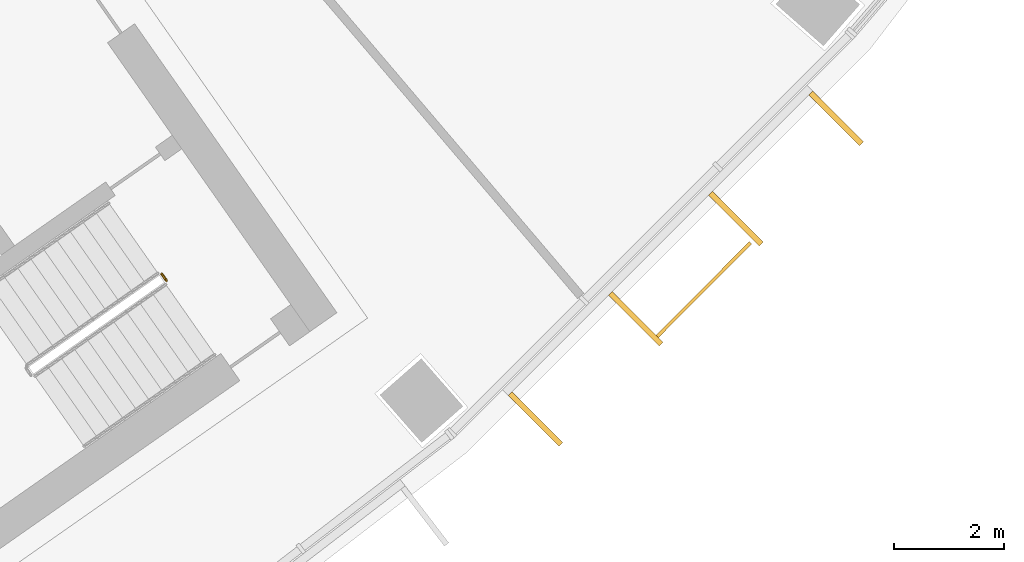
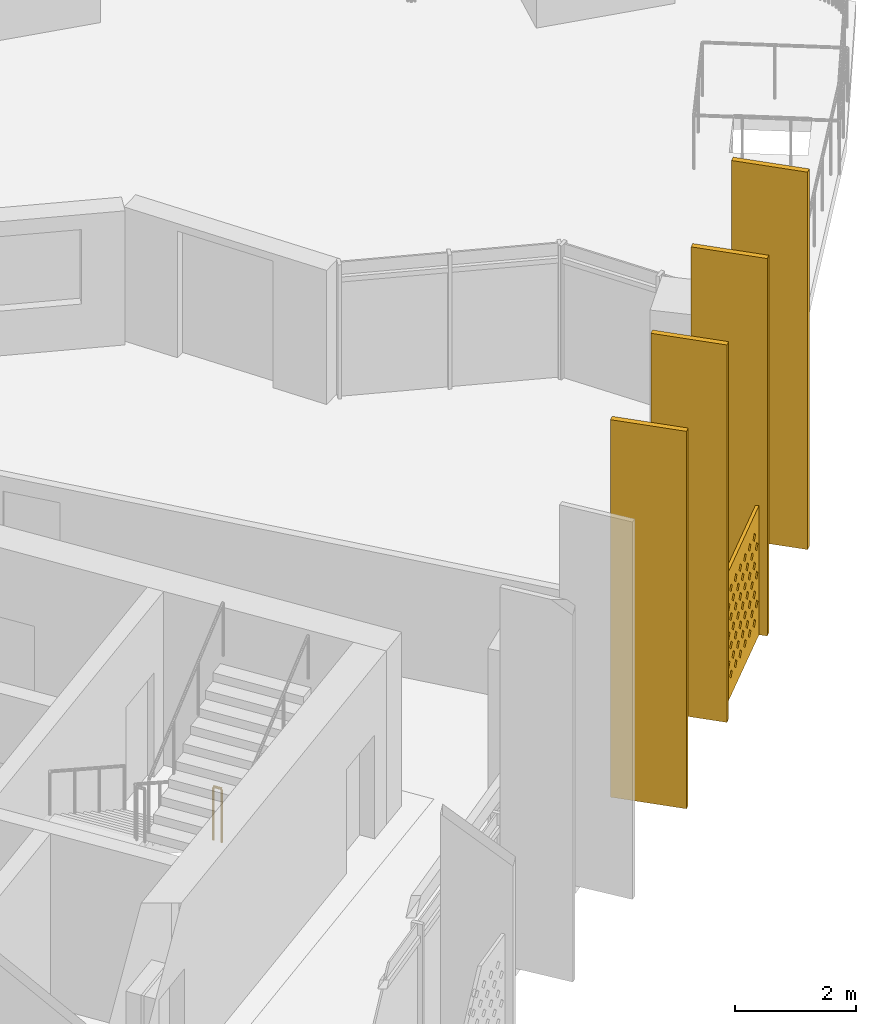
# One storey, part 28 of 30: 5 shading devices, 1 railing.
"""IFC4 building model written with IfcOpenShell, lengths in metres."""

from ifc_helpers import new_model, si_unit, direction, frame, origin, origin_2d, place, context, subcontext, project, spatial, polyline, rectangle, circle, outline, extrude, material, material_profile, profile_set, type_object, element, save


model = new_model("IFC4")

# Units and contexts
model_context = context("Model", 3, precision=1e-05, world=origin(), true_north=direction((0.0, 1.0)))
body_context = subcontext(model_context, "Body", "Model", "MODEL_VIEW")
ifc_project = project(units=[si_unit("LENGTHUNIT", "METRE"), si_unit("AREAUNIT", "SQUARE_METRE"), si_unit("VOLUMEUNIT", "CUBIC_METRE"), si_unit("PLANEANGLEUNIT", "RADIAN"), si_unit("MASSUNIT", "GRAM", prefix="KILO")], contexts=[model_context])

# Site, building, storey
site_placement = place(None, origin())
site = spatial("IfcSite", under=ifc_project, at=site_placement, CompositionType="ELEMENT")
building_placement = place(site_placement, origin())
building = spatial("IfcBuilding", under=site, at=building_placement, Name="Qamariyya Broadcast Tower", CompositionType="ELEMENT")
storey_placement = place(building_placement, frame((0.0, 0.0, 203.699951171875)))
storey = spatial("IfcBuildingStorey", under=building, at=storey_placement, Name="L48", CompositionType="ELEMENT", Elevation=203.699951171875)

# Shading device
ifc_material_1 = material(Name="Perforated glazed terracotta", Category="masonry")
ifc_material_profile_1 = material_profile(ifc_material_1, outline(polyline([(-1.199951171875, -1.300048828125), (1.199951171875, -1.300048828125), (1.199951171875, 1.300048828125), (-1.199951171875, 1.300048828125), (-1.199951171875, -1.300048828125)]), holes=[polyline([(-0.81494140625, -0.86669921875), (-0.89990234375, -0.78173828125), (-0.985107421875, -0.86669921875), (-0.89990234375, -0.95166015625), (-0.81494140625, -0.86669921875)]), polyline([(-0.514892578125, -0.86669921875), (-0.60009765625, -0.78173828125), (-0.68505859375, -0.86669921875), (-0.60009765625, -0.95166015625), (-0.514892578125, -0.86669921875)]), polyline([(-0.215087890625, -0.86669921875), (-0.300048828125, -0.78173828125), (-0.385009765625, -0.86669921875), (-0.300048828125, -0.95166015625), (-0.215087890625, -0.86669921875)]), polyline([(0.0849609375, -0.86669921875), (0.0, -0.78173828125), (-0.0849609375, -0.86669921875), (0.0, -0.95166015625), (0.0849609375, -0.86669921875)]), polyline([(0.385009765625, -0.86669921875), (0.300048828125, -0.78173828125), (0.215087890625, -0.86669921875), (0.300048828125, -0.95166015625), (0.385009765625, -0.86669921875)]), polyline([(0.68505859375, -0.86669921875), (0.60009765625, -0.78173828125), (0.514892578125, -0.86669921875), (0.60009765625, -0.95166015625), (0.68505859375, -0.86669921875)]), polyline([(0.985107421875, -0.86669921875), (0.89990234375, -0.78173828125), (0.81494140625, -0.86669921875), (0.89990234375, -0.95166015625), (0.985107421875, -0.86669921875)]), polyline([(-0.965087890625, -0.577880859375), (-1.050048828125, -0.49267578125), (-1.135009765625, -0.577880859375), (-1.050048828125, -0.662841796875), (-0.965087890625, -0.577880859375)]), polyline([(-0.6650390625, -0.577880859375), (-0.75, -0.49267578125), (-0.8349609375, -0.577880859375), (-0.75, -0.662841796875), (-0.6650390625, -0.577880859375)]), polyline([(-0.364990234375, -0.577880859375), (-0.449951171875, -0.49267578125), (-0.534912109375, -0.577880859375), (-0.449951171875, -0.662841796875), (-0.364990234375, -0.577880859375)]), polyline([(-0.06494140625, -0.577880859375), (-0.14990234375, -0.49267578125), (-0.235107421875, -0.577880859375), (-0.14990234375, -0.662841796875), (-0.06494140625, -0.577880859375)]), polyline([(0.235107421875, -0.577880859375), (0.14990234375, -0.49267578125), (0.06494140625, -0.577880859375), (0.14990234375, -0.662841796875), (0.235107421875, -0.577880859375)]), polyline([(0.534912109375, -0.577880859375), (0.449951171875, -0.49267578125), (0.364990234375, -0.577880859375), (0.449951171875, -0.662841796875), (0.534912109375, -0.577880859375)]), polyline([(0.8349609375, -0.577880859375), (0.75, -0.49267578125), (0.6650390625, -0.577880859375), (0.75, -0.662841796875), (0.8349609375, -0.577880859375)]), polyline([(1.135009765625, -0.577880859375), (1.050048828125, -0.49267578125), (0.965087890625, -0.577880859375), (1.050048828125, -0.662841796875), (1.135009765625, -0.577880859375)]), polyline([(-0.81494140625, -0.288818359375), (-0.89990234375, -0.203857421875), (-0.985107421875, -0.288818359375), (-0.89990234375, -0.373779296875), (-0.81494140625, -0.288818359375)]), polyline([(-0.514892578125, -0.288818359375), (-0.60009765625, -0.203857421875), (-0.68505859375, -0.288818359375), (-0.60009765625, -0.373779296875), (-0.514892578125, -0.288818359375)]), polyline([(-0.215087890625, -0.288818359375), (-0.300048828125, -0.203857421875), (-0.385009765625, -0.288818359375), (-0.300048828125, -0.373779296875), (-0.215087890625, -0.288818359375)]), polyline([(0.0849609375, -0.288818359375), (0.0, -0.203857421875), (-0.0849609375, -0.288818359375), (0.0, -0.373779296875), (0.0849609375, -0.288818359375)]), polyline([(0.385009765625, -0.288818359375), (0.300048828125, -0.203857421875), (0.215087890625, -0.288818359375), (0.300048828125, -0.373779296875), (0.385009765625, -0.288818359375)]), polyline([(0.68505859375, -0.288818359375), (0.60009765625, -0.203857421875), (0.514892578125, -0.288818359375), (0.60009765625, -0.373779296875), (0.68505859375, -0.288818359375)]), polyline([(0.985107421875, -0.288818359375), (0.89990234375, -0.203857421875), (0.81494140625, -0.288818359375), (0.89990234375, -0.373779296875), (0.985107421875, -0.288818359375)]), polyline([(-0.965087890625, 0.0), (-1.050048828125, 0.0849609375), (-1.135009765625, 0.0), (-1.050048828125, -0.0849609375), (-0.965087890625, 0.0)]), polyline([(-0.6650390625, 0.0), (-0.75, 0.0849609375), (-0.8349609375, 0.0), (-0.75, -0.0849609375), (-0.6650390625, 0.0)]), polyline([(-0.364990234375, 0.0), (-0.449951171875, 0.0849609375), (-0.534912109375, 0.0), (-0.449951171875, -0.0849609375), (-0.364990234375, 0.0)]), polyline([(-0.06494140625, 0.0), (-0.14990234375, 0.0849609375), (-0.235107421875, 0.0), (-0.14990234375, -0.0849609375), (-0.06494140625, 0.0)]), polyline([(0.235107421875, 0.0), (0.14990234375, 0.0849609375), (0.06494140625, 0.0), (0.14990234375, -0.0849609375), (0.235107421875, 0.0)]), polyline([(0.534912109375, 0.0), (0.449951171875, 0.0849609375), (0.364990234375, 0.0), (0.449951171875, -0.0849609375), (0.534912109375, 0.0)]), polyline([(0.8349609375, 0.0), (0.75, 0.0849609375), (0.6650390625, 0.0), (0.75, -0.0849609375), (0.8349609375, 0.0)]), polyline([(1.135009765625, 0.0), (1.050048828125, 0.0849609375), (0.965087890625, 0.0), (1.050048828125, -0.0849609375), (1.135009765625, 0.0)]), polyline([(-0.81494140625, 0.288818359375), (-0.89990234375, 0.373779296875), (-0.985107421875, 0.288818359375), (-0.89990234375, 0.203857421875), (-0.81494140625, 0.288818359375)]), polyline([(-0.514892578125, 0.288818359375), (-0.60009765625, 0.373779296875), (-0.68505859375, 0.288818359375), (-0.60009765625, 0.203857421875), (-0.514892578125, 0.288818359375)]), polyline([(-0.215087890625, 0.288818359375), (-0.300048828125, 0.373779296875), (-0.385009765625, 0.288818359375), (-0.300048828125, 0.203857421875), (-0.215087890625, 0.288818359375)]), polyline([(0.0849609375, 0.288818359375), (0.0, 0.373779296875), (-0.0849609375, 0.288818359375), (0.0, 0.203857421875), (0.0849609375, 0.288818359375)]), polyline([(0.385009765625, 0.288818359375), (0.300048828125, 0.373779296875), (0.215087890625, 0.288818359375), (0.300048828125, 0.203857421875), (0.385009765625, 0.288818359375)]), polyline([(0.68505859375, 0.288818359375), (0.60009765625, 0.373779296875), (0.514892578125, 0.288818359375), (0.60009765625, 0.203857421875), (0.68505859375, 0.288818359375)]), polyline([(0.985107421875, 0.288818359375), (0.89990234375, 0.373779296875), (0.81494140625, 0.288818359375), (0.89990234375, 0.203857421875), (0.985107421875, 0.288818359375)]), polyline([(-0.965087890625, 0.577880859375), (-1.050048828125, 0.662841796875), (-1.135009765625, 0.577880859375), (-1.050048828125, 0.49267578125), (-0.965087890625, 0.577880859375)]), polyline([(-0.6650390625, 0.577880859375), (-0.75, 0.662841796875), (-0.8349609375, 0.577880859375), (-0.75, 0.49267578125), (-0.6650390625, 0.577880859375)]), polyline([(-0.364990234375, 0.577880859375), (-0.449951171875, 0.662841796875), (-0.534912109375, 0.577880859375), (-0.449951171875, 0.49267578125), (-0.364990234375, 0.577880859375)]), polyline([(-0.06494140625, 0.577880859375), (-0.14990234375, 0.662841796875), (-0.235107421875, 0.577880859375), (-0.14990234375, 0.49267578125), (-0.06494140625, 0.577880859375)]), polyline([(0.235107421875, 0.577880859375), (0.14990234375, 0.662841796875), (0.06494140625, 0.577880859375), (0.14990234375, 0.49267578125), (0.235107421875, 0.577880859375)]), polyline([(0.534912109375, 0.577880859375), (0.449951171875, 0.662841796875), (0.364990234375, 0.577880859375), (0.449951171875, 0.49267578125), (0.534912109375, 0.577880859375)]), polyline([(0.8349609375, 0.577880859375), (0.75, 0.662841796875), (0.6650390625, 0.577880859375), (0.75, 0.49267578125), (0.8349609375, 0.577880859375)]), polyline([(1.135009765625, 0.577880859375), (1.050048828125, 0.662841796875), (0.965087890625, 0.577880859375), (1.050048828125, 0.49267578125), (1.135009765625, 0.577880859375)]), polyline([(-0.81494140625, 0.86669921875), (-0.89990234375, 0.95166015625), (-0.985107421875, 0.86669921875), (-0.89990234375, 0.78173828125), (-0.81494140625, 0.86669921875)]), polyline([(-0.514892578125, 0.86669921875), (-0.60009765625, 0.95166015625), (-0.68505859375, 0.86669921875), (-0.60009765625, 0.78173828125), (-0.514892578125, 0.86669921875)]), polyline([(-0.215087890625, 0.86669921875), (-0.300048828125, 0.95166015625), (-0.385009765625, 0.86669921875), (-0.300048828125, 0.78173828125), (-0.215087890625, 0.86669921875)]), polyline([(0.0849609375, 0.86669921875), (0.0, 0.95166015625), (-0.0849609375, 0.86669921875), (0.0, 0.78173828125), (0.0849609375, 0.86669921875)]), polyline([(0.385009765625, 0.86669921875), (0.300048828125, 0.95166015625), (0.215087890625, 0.86669921875), (0.300048828125, 0.78173828125), (0.385009765625, 0.86669921875)]), polyline([(0.68505859375, 0.86669921875), (0.60009765625, 0.95166015625), (0.514892578125, 0.86669921875), (0.60009765625, 0.78173828125), (0.68505859375, 0.86669921875)]), polyline([(0.985107421875, 0.86669921875), (0.89990234375, 0.95166015625), (0.81494140625, 0.86669921875), (0.89990234375, 0.78173828125), (0.985107421875, 0.86669921875)])]))
ifc_profile_set_1 = profile_set([ifc_material_profile_1], Name="Perforated glazed terracotta")
shading_device_type_1 = type_object("IfcShadingDeviceType", Name="Perforated terracotta screen 2400 x 2600", PredefinedType="USERDEFINED", material=ifc_profile_set_1)
shading_device_placement = place(storey_placement, frame((56.367431640625, -56.41845703125, 1.35009765625), z_axis=(0.709141608176, -0.705066081692, 0.0), x_axis=(0.705066081692, 0.709141608176, 0.0)))
element("IfcShadingDevice", 1, at=shading_device_placement, inside=storey, type_object=shading_device_type_1, Name="e-scr-L48-14-1", ObjectType="SCREEN", PredefinedType="USERDEFINED", context=body_context, shape_type="SweptSolid", body=[
    extrude(outline(polyline([(-1.199951171875, -1.300048828125), (1.199951171875, -1.300048828125), (1.199951171875, 1.300048828125), (-1.199951171875, 1.300048828125), (-1.199951171875, -1.300048828125)]), holes=[polyline([(-0.81494140625, -0.86669921875), (-0.89990234375, -0.78173828125), (-0.985107421875, -0.86669921875), (-0.89990234375, -0.95166015625), (-0.81494140625, -0.86669921875)]), polyline([(-0.514892578125, -0.86669921875), (-0.60009765625, -0.78173828125), (-0.68505859375, -0.86669921875), (-0.60009765625, -0.95166015625), (-0.514892578125, -0.86669921875)]), polyline([(-0.215087890625, -0.86669921875), (-0.300048828125, -0.78173828125), (-0.385009765625, -0.86669921875), (-0.300048828125, -0.95166015625), (-0.215087890625, -0.86669921875)]), polyline([(0.0849609375, -0.86669921875), (0.0, -0.78173828125), (-0.0849609375, -0.86669921875), (0.0, -0.95166015625), (0.0849609375, -0.86669921875)]), polyline([(0.385009765625, -0.86669921875), (0.300048828125, -0.78173828125), (0.215087890625, -0.86669921875), (0.300048828125, -0.95166015625), (0.385009765625, -0.86669921875)]), polyline([(0.68505859375, -0.86669921875), (0.60009765625, -0.78173828125), (0.514892578125, -0.86669921875), (0.60009765625, -0.95166015625), (0.68505859375, -0.86669921875)]), polyline([(0.985107421875, -0.86669921875), (0.89990234375, -0.78173828125), (0.81494140625, -0.86669921875), (0.89990234375, -0.95166015625), (0.985107421875, -0.86669921875)]), polyline([(-0.965087890625, -0.577880859375), (-1.050048828125, -0.49267578125), (-1.135009765625, -0.577880859375), (-1.050048828125, -0.662841796875), (-0.965087890625, -0.577880859375)]), polyline([(-0.6650390625, -0.577880859375), (-0.75, -0.49267578125), (-0.8349609375, -0.577880859375), (-0.75, -0.662841796875), (-0.6650390625, -0.577880859375)]), polyline([(-0.364990234375, -0.577880859375), (-0.449951171875, -0.49267578125), (-0.534912109375, -0.577880859375), (-0.449951171875, -0.662841796875), (-0.364990234375, -0.577880859375)]), polyline([(-0.06494140625, -0.577880859375), (-0.14990234375, -0.49267578125), (-0.235107421875, -0.577880859375), (-0.14990234375, -0.662841796875), (-0.06494140625, -0.577880859375)]), polyline([(0.235107421875, -0.577880859375), (0.14990234375, -0.49267578125), (0.06494140625, -0.577880859375), (0.14990234375, -0.662841796875), (0.235107421875, -0.577880859375)]), polyline([(0.534912109375, -0.577880859375), (0.449951171875, -0.49267578125), (0.364990234375, -0.577880859375), (0.449951171875, -0.662841796875), (0.534912109375, -0.577880859375)]), polyline([(0.8349609375, -0.577880859375), (0.75, -0.49267578125), (0.6650390625, -0.577880859375), (0.75, -0.662841796875), (0.8349609375, -0.577880859375)]), polyline([(1.135009765625, -0.577880859375), (1.050048828125, -0.49267578125), (0.965087890625, -0.577880859375), (1.050048828125, -0.662841796875), (1.135009765625, -0.577880859375)]), polyline([(-0.81494140625, -0.288818359375), (-0.89990234375, -0.203857421875), (-0.985107421875, -0.288818359375), (-0.89990234375, -0.373779296875), (-0.81494140625, -0.288818359375)]), polyline([(-0.514892578125, -0.288818359375), (-0.60009765625, -0.203857421875), (-0.68505859375, -0.288818359375), (-0.60009765625, -0.373779296875), (-0.514892578125, -0.288818359375)]), polyline([(-0.215087890625, -0.288818359375), (-0.300048828125, -0.203857421875), (-0.385009765625, -0.288818359375), (-0.300048828125, -0.373779296875), (-0.215087890625, -0.288818359375)]), polyline([(0.0849609375, -0.288818359375), (0.0, -0.203857421875), (-0.0849609375, -0.288818359375), (0.0, -0.373779296875), (0.0849609375, -0.288818359375)]), polyline([(0.385009765625, -0.288818359375), (0.300048828125, -0.203857421875), (0.215087890625, -0.288818359375), (0.300048828125, -0.373779296875), (0.385009765625, -0.288818359375)]), polyline([(0.68505859375, -0.288818359375), (0.60009765625, -0.203857421875), (0.514892578125, -0.288818359375), (0.60009765625, -0.373779296875), (0.68505859375, -0.288818359375)]), polyline([(0.985107421875, -0.288818359375), (0.89990234375, -0.203857421875), (0.81494140625, -0.288818359375), (0.89990234375, -0.373779296875), (0.985107421875, -0.288818359375)]), polyline([(-0.965087890625, 0.0), (-1.050048828125, 0.0849609375), (-1.135009765625, 0.0), (-1.050048828125, -0.0849609375), (-0.965087890625, 0.0)]), polyline([(-0.6650390625, 0.0), (-0.75, 0.0849609375), (-0.8349609375, 0.0), (-0.75, -0.0849609375), (-0.6650390625, 0.0)]), polyline([(-0.364990234375, 0.0), (-0.449951171875, 0.0849609375), (-0.534912109375, 0.0), (-0.449951171875, -0.0849609375), (-0.364990234375, 0.0)]), polyline([(-0.06494140625, 0.0), (-0.14990234375, 0.0849609375), (-0.235107421875, 0.0), (-0.14990234375, -0.0849609375), (-0.06494140625, 0.0)]), polyline([(0.235107421875, 0.0), (0.14990234375, 0.0849609375), (0.06494140625, 0.0), (0.14990234375, -0.0849609375), (0.235107421875, 0.0)]), polyline([(0.534912109375, 0.0), (0.449951171875, 0.0849609375), (0.364990234375, 0.0), (0.449951171875, -0.0849609375), (0.534912109375, 0.0)]), polyline([(0.8349609375, 0.0), (0.75, 0.0849609375), (0.6650390625, 0.0), (0.75, -0.0849609375), (0.8349609375, 0.0)]), polyline([(1.135009765625, 0.0), (1.050048828125, 0.0849609375), (0.965087890625, 0.0), (1.050048828125, -0.0849609375), (1.135009765625, 0.0)]), polyline([(-0.81494140625, 0.288818359375), (-0.89990234375, 0.373779296875), (-0.985107421875, 0.288818359375), (-0.89990234375, 0.203857421875), (-0.81494140625, 0.288818359375)]), polyline([(-0.514892578125, 0.288818359375), (-0.60009765625, 0.373779296875), (-0.68505859375, 0.288818359375), (-0.60009765625, 0.203857421875), (-0.514892578125, 0.288818359375)]), polyline([(-0.215087890625, 0.288818359375), (-0.300048828125, 0.373779296875), (-0.385009765625, 0.288818359375), (-0.300048828125, 0.203857421875), (-0.215087890625, 0.288818359375)]), polyline([(0.0849609375, 0.288818359375), (0.0, 0.373779296875), (-0.0849609375, 0.288818359375), (0.0, 0.203857421875), (0.0849609375, 0.288818359375)]), polyline([(0.385009765625, 0.288818359375), (0.300048828125, 0.373779296875), (0.215087890625, 0.288818359375), (0.300048828125, 0.203857421875), (0.385009765625, 0.288818359375)]), polyline([(0.68505859375, 0.288818359375), (0.60009765625, 0.373779296875), (0.514892578125, 0.288818359375), (0.60009765625, 0.203857421875), (0.68505859375, 0.288818359375)]), polyline([(0.985107421875, 0.288818359375), (0.89990234375, 0.373779296875), (0.81494140625, 0.288818359375), (0.89990234375, 0.203857421875), (0.985107421875, 0.288818359375)]), polyline([(-0.965087890625, 0.577880859375), (-1.050048828125, 0.662841796875), (-1.135009765625, 0.577880859375), (-1.050048828125, 0.49267578125), (-0.965087890625, 0.577880859375)]), polyline([(-0.6650390625, 0.577880859375), (-0.75, 0.662841796875), (-0.8349609375, 0.577880859375), (-0.75, 0.49267578125), (-0.6650390625, 0.577880859375)]), polyline([(-0.364990234375, 0.577880859375), (-0.449951171875, 0.662841796875), (-0.534912109375, 0.577880859375), (-0.449951171875, 0.49267578125), (-0.364990234375, 0.577880859375)]), polyline([(-0.06494140625, 0.577880859375), (-0.14990234375, 0.662841796875), (-0.235107421875, 0.577880859375), (-0.14990234375, 0.49267578125), (-0.06494140625, 0.577880859375)]), polyline([(0.235107421875, 0.577880859375), (0.14990234375, 0.662841796875), (0.06494140625, 0.577880859375), (0.14990234375, 0.49267578125), (0.235107421875, 0.577880859375)]), polyline([(0.534912109375, 0.577880859375), (0.449951171875, 0.662841796875), (0.364990234375, 0.577880859375), (0.449951171875, 0.49267578125), (0.534912109375, 0.577880859375)]), polyline([(0.8349609375, 0.577880859375), (0.75, 0.662841796875), (0.6650390625, 0.577880859375), (0.75, 0.49267578125), (0.8349609375, 0.577880859375)]), polyline([(1.135009765625, 0.577880859375), (1.050048828125, 0.662841796875), (0.965087890625, 0.577880859375), (1.050048828125, 0.49267578125), (1.135009765625, 0.577880859375)]), polyline([(-0.81494140625, 0.86669921875), (-0.89990234375, 0.95166015625), (-0.985107421875, 0.86669921875), (-0.89990234375, 0.78173828125), (-0.81494140625, 0.86669921875)]), polyline([(-0.514892578125, 0.86669921875), (-0.60009765625, 0.95166015625), (-0.68505859375, 0.86669921875), (-0.60009765625, 0.78173828125), (-0.514892578125, 0.86669921875)]), polyline([(-0.215087890625, 0.86669921875), (-0.300048828125, 0.95166015625), (-0.385009765625, 0.86669921875), (-0.300048828125, 0.78173828125), (-0.215087890625, 0.86669921875)]), polyline([(0.0849609375, 0.86669921875), (0.0, 0.95166015625), (-0.0849609375, 0.86669921875), (0.0, 0.78173828125), (0.0849609375, 0.86669921875)]), polyline([(0.385009765625, 0.86669921875), (0.300048828125, 0.95166015625), (0.215087890625, 0.86669921875), (0.300048828125, 0.78173828125), (0.385009765625, 0.86669921875)]), polyline([(0.68505859375, 0.86669921875), (0.60009765625, 0.95166015625), (0.514892578125, 0.86669921875), (0.60009765625, 0.78173828125), (0.68505859375, 0.86669921875)]), polyline([(0.985107421875, 0.86669921875), (0.89990234375, 0.95166015625), (0.81494140625, 0.86669921875), (0.89990234375, 0.78173828125), (0.985107421875, 0.86669921875)])]), origin(), (0.0, 0.0, 1.0), 0.059814453125),
])

# Railing
ifc_material_2 = material(Name="Painted steel", Category="steel")
railing_type = type_object("IfcRailingType", Name="Stair guard", PredefinedType="GUARDRAIL", material=ifc_material_2)
railing_placement = place(storey_placement, frame((46.550537109375, -56.1552734375, 0.0)))
element("IfcRailing", 2, at=railing_placement, inside=storey, type_object=railing_type, Name="L48 ST-E1 stair guard 3", PredefinedType="GUARDRAIL", context=body_context, shape_type="SweptSolid", body=[
    extrude(circle(Radius=0.02392578125, at=origin_2d()), frame((0.0, 0.0, 1.076171875), z_axis=(0.574444878118, -0.818543268254, 0.0), x_axis=(0.818543268254, 0.574444878118, 0.0)), (0.0, 0.0, 1.0), 0.150146484375),
    extrude(circle(Radius=0.02099609375, at=origin_2d()), origin(), (0.0, 0.0, 1.0), 1.052001953125),
    extrude(circle(Radius=0.02099609375, at=origin_2d()), frame((0.086181640625, -0.122802734375, 0.0)), (0.0, 0.0, 1.0), 1.052001953125),
])

# Shading devices
ifc_material_3 = material(Name="Glazed terracotta", Category="masonry")
ifc_material_profile_2 = material_profile(ifc_material_3, rectangle(XDim=1.300048828125, YDim=0.10009765625, at=origin_2d()))
ifc_profile_set_2 = profile_set([ifc_material_profile_2], Name="Glazed terracotta")
shading_device_type_2 = type_object("IfcShadingDeviceType", Name="Terracotta fin 100 x 1300", PredefinedType="USERDEFINED", material=ifc_profile_set_2)
for number, where, z_axis, x_axis, name in (
    (3, (53.33251953125, -58.78857421875, 0.0), (0.0, 0.0, 1.0), (0.707106781187, -0.707106781187, 0.0), "e-fin-L48-14-0"),
    (4, (55.151123046875, -56.969970703125, 0.0), (0.0, 0.0, 1.0), (0.707106781187, -0.707106781187, 0.0), "e-fin-L48-14-1"),
    (5, (56.969970703125, -55.151123046875, 0.0), (0.0, 0.0, 1.0), (0.707106781187, -0.707106781187, 0.0), "e-fin-L48-14-2"),
    (6, (58.78857421875, -53.33251953125, 0.0), (0.0, 0.0, 1.0), (0.707106781187, -0.707106781187, 0.0), "e-fin-L48-14-3"),
):
    element("IfcShadingDevice", number, at=place(storey_placement, frame(where, z_axis=z_axis, x_axis=x_axis)), inside=storey, type_object=shading_device_type_2, Name=name, ObjectType="FIN", PredefinedType="USERDEFINED", context=body_context, shape_type="SweptSolid", body=[
        extrude(rectangle(XDim=1.300048828125, YDim=0.10009765625, at=origin_2d()), origin(), (0.0, 0.0, 1.0), 7.60009765625),
    ])

save(model, "model.ifc")
